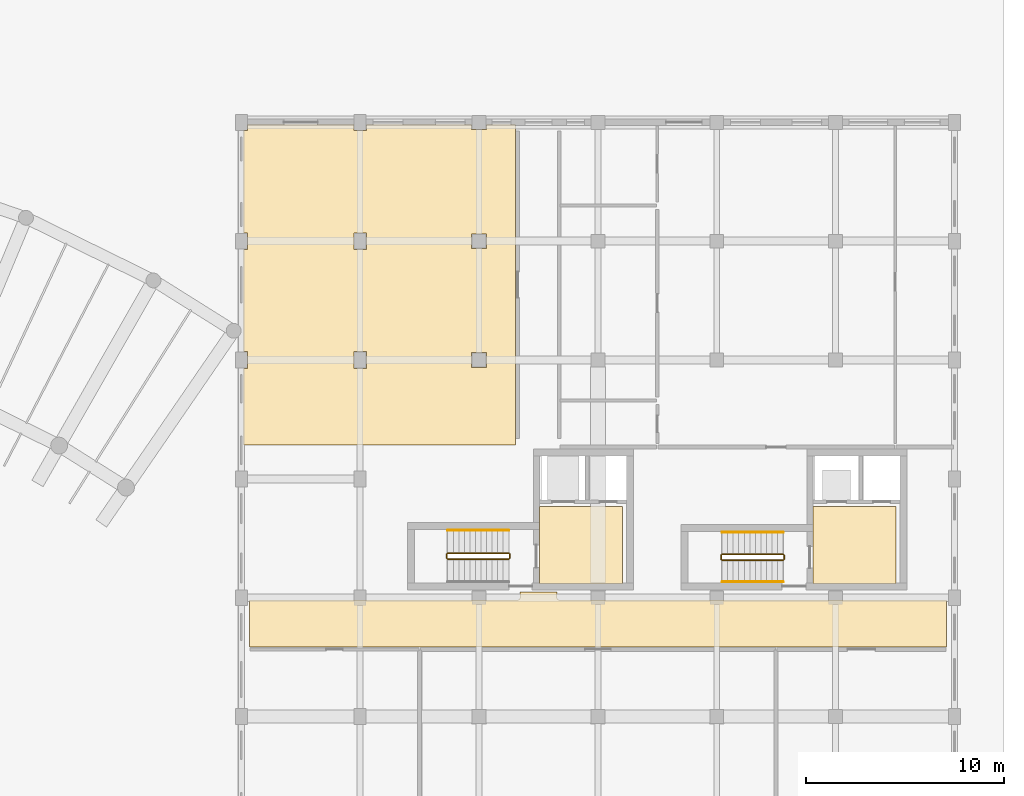
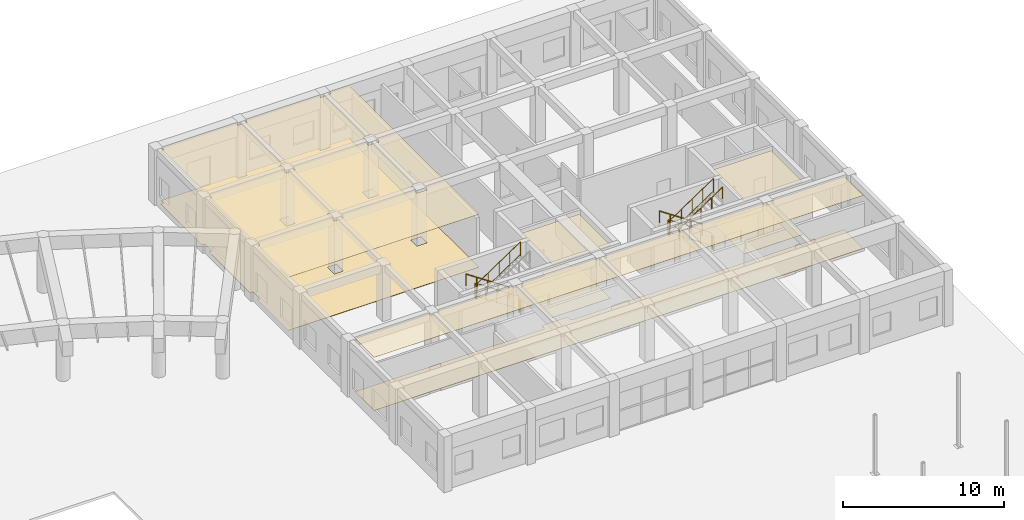
# One storey, part 75 of 76: 11 railings, 8 coverings.
"""IFC4 building model written with IfcOpenShell, lengths in metres."""

from ifc_helpers import new_model, si_unit, direction, frame, origin, origin_2d, place, context, subcontext, project, spatial, polyline, circle, outline, extrude, material, layer, layer_set, type_object, element, save


model = new_model("IFC4")

# Units and contexts
model_context = context("Model", 3, precision=1e-05, world=origin(), true_north=direction((0.0, 1.0)))
body_context = subcontext(model_context, "Body", "Model", "MODEL_VIEW")
ifc_project = project(units=[si_unit("LENGTHUNIT", "METRE"), si_unit("AREAUNIT", "SQUARE_METRE"), si_unit("VOLUMEUNIT", "CUBIC_METRE"), si_unit("PLANEANGLEUNIT", "RADIAN"), si_unit("MASSUNIT", "GRAM", prefix="KILO"), si_unit("POWERUNIT", "WATT"), si_unit("THERMODYNAMICTEMPERATUREUNIT", "KELVIN")], contexts=[model_context])

# Site, building, storey
site_placement = place(None, origin())
site = spatial("IfcSite", under=ifc_project, at=site_placement, CompositionType="ELEMENT")
building_placement = place(site_placement, origin())
building = spatial("IfcBuilding", under=site, at=building_placement, Name="Ruvembo Vaulted Housing Court", CompositionType="ELEMENT")
storey_placement = place(building_placement, origin())
storey = spatial("IfcBuildingStorey", under=building, at=storey_placement, Name="L00", CompositionType="ELEMENT", Elevation=0.0)

# Coverings
ifc_material_1 = material(Name="Perforated Mineral-Fibre Acoustic Tile", Category="gypsum")
ifc_layer_1 = layer(ifc_material_1, 0.02001953125, Name="Perforated Mineral-Fibre Acoustic Tile")
ifc_layer_set_1 = layer_set([ifc_layer_1], Name="Perforated Mineral-Fibre Acoustic Tile")
covering_type_1 = type_object("IfcCoveringType", Name="COV-CEIL-ACOUST", PredefinedType="CEILING", material=ifc_layer_set_1)
covering_1_placement = place(storey_placement, frame((0.0, 0.0, 4.034912109375)))
element("IfcCovering", 1, at=covering_1_placement, inside=storey, type_object=covering_type_1, Name="Protected Core Lobby D1 Ceiling", PredefinedType="CEILING", context=body_context, shape_type="SweptSolid", body=[
    extrude(outline(polyline([(165.050048828125, 88.60009765625), (165.050048828125, 84.699951171875), (169.25, 84.699951171875), (169.25, 88.60009765625), (165.050048828125, 88.60009765625)])), origin(), (0.0, 0.0, 1.0), 0.02001953125),
])
covering_2_placement = place(storey_placement, frame((0.0, 0.0, 4.034912109375)))
element("IfcCovering", 2, at=covering_2_placement, inside=storey, type_object=covering_type_1, Name="Protected Core Lobby D2 Ceiling", PredefinedType="CEILING", context=body_context, shape_type="SweptSolid", body=[
    extrude(outline(polyline([(178.85009765625, 88.60009765625), (178.85009765625, 84.699951171875), (183.050048828125, 84.699951171875), (183.050048828125, 88.60009765625), (178.85009765625, 88.60009765625)])), origin(), (0.0, 0.0, 1.0), 0.02001953125),
])
covering_3_placement = place(storey_placement, frame((0.0, 0.0, 4.034912109375)))
element("IfcCovering", 3, at=covering_3_placement, inside=storey, type_object=covering_type_1, Name="Block D L00 Corridor Ceiling", PredefinedType="CEILING", context=body_context, shape_type="SweptSolid", body=[
    extrude(outline(polyline([(163.949951171875, 83.889892578125), (150.409912109375, 83.889892578125), (150.409912109375, 81.510009765625), (185.590087890625, 81.510009765625), (185.590087890625, 83.889892578125), (166.050048828125, 83.889892578125), (166.039306640625, 83.890380859375), (166.028564453125, 83.89208984375), (166.01806640625, 83.894775390625), (166.0078125, 83.8984375), (165.998046875, 83.903076171875), (165.989013671875, 83.908447265625), (165.980224609375, 83.9150390625), (165.97216796875, 83.922119140625), (165.965087890625, 83.93017578125), (165.95849609375, 83.93896484375), (165.952880859375, 83.947998046875), (165.948486328125, 83.9580078125), (165.944580078125, 83.968017578125), (165.942138671875, 83.978515625), (165.9404296875, 83.9892578125), (165.93994140625, 84.0), (165.93994140625, 84.2900390625), (164.06005859375, 84.2900390625), (164.06005859375, 84.0), (164.0595703125, 83.9892578125), (164.057861328125, 83.978515625), (164.055419921875, 83.968017578125), (164.051513671875, 83.9580078125), (164.047119140625, 83.947998046875), (164.04150390625, 83.93896484375), (164.034912109375, 83.93017578125), (164.02783203125, 83.922119140625), (164.019775390625, 83.9150390625), (164.010986328125, 83.908447265625), (164.001953125, 83.903076171875), (163.9921875, 83.8984375), (163.98193359375, 83.894775390625), (163.971435546875, 83.89208984375), (163.960693359375, 83.890380859375), (163.949951171875, 83.889892578125)])), origin(), (0.0, 0.0, 1.0), 0.02001953125),
])
covering_4_placement = place(storey_placement, frame((0.0, 0.0, 4.034912109375)))
element("IfcCovering", 4, at=covering_4_placement, inside=storey, type_object=covering_type_1, Name="Block D North-West Vestibule Ceiling", PredefinedType="CEILING", context=body_context, shape_type="SweptSolid", body=[
    extrude(outline(polyline([(150.320068359375, 96.419921875), (150.320068359375, 95.580078125), (150.110107421875, 95.580078125), (150.110107421875, 91.7099609375), (163.840087890625, 91.7099609375), (163.840087890625, 107.889892578125), (162.3701171875, 107.889892578125), (162.3701171875, 107.6298828125), (161.6298828125, 107.6298828125), (161.6298828125, 107.889892578125), (156.320068359375, 107.889892578125), (156.320068359375, 107.580078125), (155.679931640625, 107.580078125), (155.679931640625, 107.889892578125), (150.320068359375, 107.889892578125), (150.320068359375, 107.580078125), (150.110107421875, 107.580078125), (150.110107421875, 102.419921875), (150.320068359375, 102.419921875), (150.320068359375, 101.580078125), (150.110107421875, 101.580078125), (150.110107421875, 96.419921875), (150.320068359375, 96.419921875)]), holes=[polyline([(155.679931640625, 95.580078125), (156.320068359375, 95.580078125), (156.320068359375, 96.419921875), (155.679931640625, 96.419921875), (155.679931640625, 95.580078125)]), polyline([(161.6298828125, 95.6298828125), (162.3701171875, 95.6298828125), (162.3701171875, 96.3701171875), (161.6298828125, 96.3701171875), (161.6298828125, 95.6298828125)]), polyline([(155.679931640625, 101.580078125), (156.320068359375, 101.580078125), (156.320068359375, 102.419921875), (155.679931640625, 102.419921875), (155.679931640625, 101.580078125)]), polyline([(162.3701171875, 101.6298828125), (162.3701171875, 102.3701171875), (161.6298828125, 102.3701171875), (161.6298828125, 101.6298828125), (162.3701171875, 101.6298828125)])]), origin(), (0.0, 0.0, 1.0), 0.02001953125),
])
ifc_material_2 = material(Name="Polished Cement-Aggregate Terrazzo", Category="stone")
ifc_layer_2 = layer(ifc_material_2, 0.02197265625, Name="Polished Cement-Aggregate Terrazzo")
ifc_layer_set_2 = layer_set([ifc_layer_2], Name="Polished Cement-Aggregate Terrazzo")
covering_type_2 = type_object("IfcCoveringType", Name="COV-FLR-CERAMIC", PredefinedType="FLOORING", material=ifc_layer_set_2)
covering_5_placement = place(storey_placement, origin())
element("IfcCovering", 5, at=covering_5_placement, inside=storey, type_object=covering_type_2, Name="Protected Core Lobby D1 Flooring", PredefinedType="FLOORING", context=body_context, shape_type="SweptSolid", body=[
    extrude(outline(polyline([(165.050048828125, 88.60009765625), (165.050048828125, 84.699951171875), (169.25, 84.699951171875), (169.25, 88.60009765625), (165.050048828125, 88.60009765625)])), origin(), (0.0, 0.0, 1.0), 0.02197265625),
])
covering_6_placement = place(storey_placement, origin())
element("IfcCovering", 6, at=covering_6_placement, inside=storey, type_object=covering_type_2, Name="Protected Core Lobby D2 Flooring", PredefinedType="FLOORING", context=body_context, shape_type="SweptSolid", body=[
    extrude(outline(polyline([(178.85009765625, 88.60009765625), (178.85009765625, 84.699951171875), (183.050048828125, 84.699951171875), (183.050048828125, 88.60009765625), (178.85009765625, 88.60009765625)])), origin(), (0.0, 0.0, 1.0), 0.02197265625),
])
covering_7_placement = place(storey_placement, origin())
element("IfcCovering", 7, at=covering_7_placement, inside=storey, type_object=covering_type_2, Name="Block D L00 Corridor Flooring", PredefinedType="FLOORING", context=body_context, shape_type="SweptSolid", body=[
    extrude(outline(polyline([(163.949951171875, 83.889892578125), (150.409912109375, 83.889892578125), (150.409912109375, 81.510009765625), (185.590087890625, 81.510009765625), (185.590087890625, 83.889892578125), (166.050048828125, 83.889892578125), (166.039306640625, 83.890380859375), (166.028564453125, 83.89208984375), (166.01806640625, 83.894775390625), (166.0078125, 83.8984375), (165.998046875, 83.903076171875), (165.989013671875, 83.908447265625), (165.980224609375, 83.9150390625), (165.97216796875, 83.922119140625), (165.965087890625, 83.93017578125), (165.95849609375, 83.93896484375), (165.952880859375, 83.947998046875), (165.948486328125, 83.9580078125), (165.944580078125, 83.968017578125), (165.942138671875, 83.978515625), (165.9404296875, 83.9892578125), (165.93994140625, 84.0), (165.93994140625, 84.2900390625), (164.06005859375, 84.2900390625), (164.06005859375, 84.0), (164.0595703125, 83.9892578125), (164.057861328125, 83.978515625), (164.055419921875, 83.968017578125), (164.051513671875, 83.9580078125), (164.047119140625, 83.947998046875), (164.04150390625, 83.93896484375), (164.034912109375, 83.93017578125), (164.02783203125, 83.922119140625), (164.019775390625, 83.9150390625), (164.010986328125, 83.908447265625), (164.001953125, 83.903076171875), (163.9921875, 83.8984375), (163.98193359375, 83.894775390625), (163.971435546875, 83.89208984375), (163.960693359375, 83.890380859375), (163.949951171875, 83.889892578125)])), origin(), (0.0, 0.0, 1.0), 0.02197265625),
])
covering_8_placement = place(storey_placement, origin())
element("IfcCovering", 8, at=covering_8_placement, inside=storey, type_object=covering_type_2, Name="Block D North-West Vestibule Flooring", PredefinedType="FLOORING", context=body_context, shape_type="SweptSolid", body=[
    extrude(outline(polyline([(150.320068359375, 96.419921875), (150.320068359375, 95.580078125), (150.110107421875, 95.580078125), (150.110107421875, 91.7099609375), (163.840087890625, 91.7099609375), (163.840087890625, 107.889892578125), (162.3701171875, 107.889892578125), (162.3701171875, 107.6298828125), (161.6298828125, 107.6298828125), (161.6298828125, 107.889892578125), (156.320068359375, 107.889892578125), (156.320068359375, 107.580078125), (155.679931640625, 107.580078125), (155.679931640625, 107.889892578125), (150.320068359375, 107.889892578125), (150.320068359375, 107.580078125), (150.110107421875, 107.580078125), (150.110107421875, 102.419921875), (150.320068359375, 102.419921875), (150.320068359375, 101.580078125), (150.110107421875, 101.580078125), (150.110107421875, 96.419921875), (150.320068359375, 96.419921875)]), holes=[polyline([(155.679931640625, 95.580078125), (156.320068359375, 95.580078125), (156.320068359375, 96.419921875), (155.679931640625, 96.419921875), (155.679931640625, 95.580078125)]), polyline([(161.6298828125, 95.6298828125), (162.3701171875, 95.6298828125), (162.3701171875, 96.3701171875), (161.6298828125, 96.3701171875), (161.6298828125, 95.6298828125)]), polyline([(155.679931640625, 101.580078125), (156.320068359375, 101.580078125), (156.320068359375, 102.419921875), (155.679931640625, 102.419921875), (155.679931640625, 101.580078125)]), polyline([(162.3701171875, 101.6298828125), (162.3701171875, 102.3701171875), (161.6298828125, 102.3701171875), (161.6298828125, 101.6298828125), (162.3701171875, 101.6298828125)])]), origin(), (0.0, 0.0, 1.0), 0.02197265625),
])

# Railings
ifc_material_3 = material(Name="Painted Galvanised Steel S275", Category="steel")
ifc_layer_3 = layer(ifc_material_3, 0.06005859375, Name="Painted Galvanised Steel S275")
ifc_layer_set_3 = layer_set([ifc_layer_3], Name="Painted Galvanised Steel S275")
railing_type_1 = type_object("IfcRailingType", Name="RL-STAIR-GR1100", PredefinedType="GUARDRAIL", material=ifc_layer_set_3)
railing_1_placement = place(storey_placement, frame((163.5, 86.25, 0.1875)))
element("IfcRailing", 9, at=railing_1_placement, inside=storey, type_object=railing_type_1, Name="L00 ST-D1 stair guard 1", PredefinedType="GUARDRAIL", context=body_context, shape_type="SweptSolid", body=[
    extrude(circle(Radius=0.02392578125, at=origin_2d()), frame((0.0, 0.0, 1.076171875), z_axis=(-0.830913701846, 0.0, 0.55640131208), x_axis=(0.0, -1.0, 0.0)), (0.0, 0.0, 1.0), 3.706787109375),
    extrude(circle(Radius=0.01806640625, at=origin_2d()), frame((0.0, 0.0, 0.1201171875), z_axis=(-0.830913701846, 0.0, 0.55640131208), x_axis=(0.0, -1.0, 0.0)), (0.0, 0.0, 1.0), 3.706787109375),
    extrude(circle(Radius=0.02099609375, at=origin_2d()), origin(), (0.0, 0.0, 1.0), 1.052001953125),
    extrude(circle(Radius=0.02099609375, at=origin_2d()), frame((-0.77001953125, 0.0, 0.515625)), (0.0, 0.0, 1.0), 1.052001953125),
    extrude(circle(Radius=0.02099609375, at=origin_2d()), frame((-1.5400390625, 0.0, 1.03125)), (0.0, 0.0, 1.0), 1.052001953125),
    extrude(circle(Radius=0.02099609375, at=origin_2d()), frame((-2.31005859375, 0.0, 1.546875)), (0.0, 0.0, 1.0), 1.052001953125),
    extrude(circle(Radius=0.02099609375, at=origin_2d()), frame((-3.080078125, 0.0, 2.0625)), (0.0, 0.0, 1.0), 1.052001953125),
])
railing_2_placement = place(storey_placement, frame((160.3701171875, 86.199951171875, 2.25)))
element("IfcRailing", 10, at=railing_2_placement, inside=storey, type_object=railing_type_1, Name="L00 ST-D1 stair guard 2", PredefinedType="GUARDRAIL", context=body_context, shape_type="SweptSolid", body=[
    extrude(circle(Radius=0.02392578125, at=origin_2d()), frame((0.0, 0.0, 1.076171875), z_axis=(0.0, -1.0, 0.0), x_axis=(1.0, 0.0, 0.0)), (0.0, 0.0, 1.0), 0.199951171875),
    extrude(circle(Radius=0.01806640625, at=origin_2d()), frame((0.0, 0.0, 0.1201171875), z_axis=(0.0, -1.0, 0.0), x_axis=(1.0, 0.0, 0.0)), (0.0, 0.0, 1.0), 0.199951171875),
    extrude(circle(Radius=0.02099609375, at=origin_2d()), origin(), (0.0, 0.0, 1.0), 1.052001953125),
    extrude(circle(Radius=0.02099609375, at=origin_2d()), frame((0.0, -0.199951171875, 0.0)), (0.0, 0.0, 1.0), 1.052001953125),
])
railing_3_placement = place(storey_placement, frame((160.419921875, 85.949951171875, 2.4375)))
element("IfcRailing", 11, at=railing_3_placement, inside=storey, type_object=railing_type_1, Name="L00 ST-D1 stair guard 3", PredefinedType="GUARDRAIL", context=body_context, shape_type="SweptSolid", body=[
    extrude(circle(Radius=0.02392578125, at=origin_2d()), frame((0.0, 0.0, 1.076171875), z_axis=(0.830913701846, 0.0, 0.55640131208), x_axis=(0.0, 1.0, 0.0)), (0.0, 0.0, 1.0), 3.706787109375),
    extrude(circle(Radius=0.01806640625, at=origin_2d()), frame((0.0, 0.0, 0.1201171875), z_axis=(0.830913701846, 0.0, 0.55640131208), x_axis=(0.0, 1.0, 0.0)), (0.0, 0.0, 1.0), 3.706787109375),
    extrude(circle(Radius=0.02099609375, at=origin_2d()), origin(), (0.0, 0.0, 1.0), 1.052001953125),
    extrude(circle(Radius=0.02099609375, at=origin_2d()), frame((0.77001953125, 0.0, 0.515625)), (0.0, 0.0, 1.0), 1.052001953125),
    extrude(circle(Radius=0.02099609375, at=origin_2d()), frame((1.5400390625, 0.0, 1.03125)), (0.0, 0.0, 1.0), 1.052001953125),
    extrude(circle(Radius=0.02099609375, at=origin_2d()), frame((2.31005859375, 0.0, 1.546875)), (0.0, 0.0, 1.0), 1.052001953125),
    extrude(circle(Radius=0.02099609375, at=origin_2d()), frame((3.080078125, 0.0, 2.0625)), (0.0, 0.0, 1.0), 1.052001953125),
])
railing_4_placement = place(storey_placement, frame((163.550048828125, 86.199951171875, 0.0)))
element("IfcRailing", 12, at=railing_4_placement, inside=storey, type_object=railing_type_1, Name="L00 ST-D1 stair guard 4", PredefinedType="GUARDRAIL", context=body_context, shape_type="SweptSolid", body=[
    extrude(circle(Radius=0.02392578125, at=origin_2d()), frame((0.0, 0.0, 1.076171875), z_axis=(0.0, -1.0, 0.0), x_axis=(1.0, 0.0, 0.0)), (0.0, 0.0, 1.0), 0.199951171875),
    extrude(circle(Radius=0.01806640625, at=origin_2d()), frame((0.0, 0.0, 0.1201171875), z_axis=(0.0, -1.0, 0.0), x_axis=(1.0, 0.0, 0.0)), (0.0, 0.0, 1.0), 0.199951171875),
    extrude(circle(Radius=0.02099609375, at=origin_2d()), origin(), (0.0, 0.0, 1.0), 1.052001953125),
    extrude(circle(Radius=0.02099609375, at=origin_2d()), frame((0.0, -0.199951171875, 0.0)), (0.0, 0.0, 1.0), 1.052001953125),
])
railing_5_placement = place(storey_placement, frame((177.35009765625, 86.199951171875, 0.1875)))
element("IfcRailing", 13, at=railing_5_placement, inside=storey, type_object=railing_type_1, Name="L00 ST-D2 stair guard 1", PredefinedType="GUARDRAIL", context=body_context, shape_type="SweptSolid", body=[
    extrude(circle(Radius=0.02392578125, at=origin_2d()), frame((0.0, 0.0, 1.076171875), z_axis=(-0.830913701846, 0.0, 0.55640131208), x_axis=(0.0, -1.0, 0.0)), (0.0, 0.0, 1.0), 3.706787109375),
    extrude(circle(Radius=0.01806640625, at=origin_2d()), frame((0.0, 0.0, 0.1201171875), z_axis=(-0.830913701846, 0.0, 0.55640131208), x_axis=(0.0, -1.0, 0.0)), (0.0, 0.0, 1.0), 3.706787109375),
    extrude(circle(Radius=0.02099609375, at=origin_2d()), origin(), (0.0, 0.0, 1.0), 1.052001953125),
    extrude(circle(Radius=0.02099609375, at=origin_2d()), frame((-0.77001953125, 0.0, 0.515625)), (0.0, 0.0, 1.0), 1.052001953125),
    extrude(circle(Radius=0.02099609375, at=origin_2d()), frame((-1.5400390625, 0.0, 1.03125)), (0.0, 0.0, 1.0), 1.052001953125),
    extrude(circle(Radius=0.02099609375, at=origin_2d()), frame((-2.31005859375, 0.0, 1.546875)), (0.0, 0.0, 1.0), 1.052001953125),
    extrude(circle(Radius=0.02099609375, at=origin_2d()), frame((-3.080078125, 0.0, 2.0625)), (0.0, 0.0, 1.0), 1.052001953125),
])
railing_6_placement = place(storey_placement, frame((174.219970703125, 86.14990234375, 2.25)))
element("IfcRailing", 14, at=railing_6_placement, inside=storey, type_object=railing_type_1, Name="L00 ST-D2 stair guard 2", PredefinedType="GUARDRAIL", context=body_context, shape_type="SweptSolid", body=[
    extrude(circle(Radius=0.02392578125, at=origin_2d()), frame((0.0, 0.0, 1.076171875), z_axis=(0.0, -1.0, 0.0), x_axis=(1.0, 0.0, 0.0)), (0.0, 0.0, 1.0), 0.199951171875),
    extrude(circle(Radius=0.01806640625, at=origin_2d()), frame((0.0, 0.0, 0.1201171875), z_axis=(0.0, -1.0, 0.0), x_axis=(1.0, 0.0, 0.0)), (0.0, 0.0, 1.0), 0.199951171875),
    extrude(circle(Radius=0.02099609375, at=origin_2d()), origin(), (0.0, 0.0, 1.0), 1.052001953125),
    extrude(circle(Radius=0.02099609375, at=origin_2d()), frame((0.0, -0.199951171875, 0.0)), (0.0, 0.0, 1.0), 1.052001953125),
])
railing_7_placement = place(storey_placement, frame((174.27001953125, 85.89990234375, 2.4375)))
element("IfcRailing", 15, at=railing_7_placement, inside=storey, type_object=railing_type_1, Name="L00 ST-D2 stair guard 3", PredefinedType="GUARDRAIL", context=body_context, shape_type="SweptSolid", body=[
    extrude(circle(Radius=0.02392578125, at=origin_2d()), frame((0.0, 0.0, 1.076171875), z_axis=(0.830913701846, 0.0, 0.55640131208), x_axis=(0.0, 1.0, 0.0)), (0.0, 0.0, 1.0), 3.706787109375),
    extrude(circle(Radius=0.01806640625, at=origin_2d()), frame((0.0, 0.0, 0.1201171875), z_axis=(0.830913701846, 0.0, 0.55640131208), x_axis=(0.0, 1.0, 0.0)), (0.0, 0.0, 1.0), 3.706787109375),
    extrude(circle(Radius=0.02099609375, at=origin_2d()), origin(), (0.0, 0.0, 1.0), 1.052001953125),
    extrude(circle(Radius=0.02099609375, at=origin_2d()), frame((0.77001953125, 0.0, 0.515625)), (0.0, 0.0, 1.0), 1.052001953125),
    extrude(circle(Radius=0.02099609375, at=origin_2d()), frame((1.5400390625, 0.0, 1.03125)), (0.0, 0.0, 1.0), 1.052001953125),
    extrude(circle(Radius=0.02099609375, at=origin_2d()), frame((2.31005859375, 0.0, 1.546875)), (0.0, 0.0, 1.0), 1.052001953125),
    extrude(circle(Radius=0.02099609375, at=origin_2d()), frame((3.080078125, 0.0, 2.0625)), (0.0, 0.0, 1.0), 1.052001953125),
])
railing_8_placement = place(storey_placement, frame((177.39990234375, 86.14990234375, 0.0)))
element("IfcRailing", 16, at=railing_8_placement, inside=storey, type_object=railing_type_1, Name="L00 ST-D2 stair guard 4", PredefinedType="GUARDRAIL", context=body_context, shape_type="SweptSolid", body=[
    extrude(circle(Radius=0.02392578125, at=origin_2d()), frame((0.0, 0.0, 1.076171875), z_axis=(0.0, -1.0, 0.0), x_axis=(1.0, 0.0, 0.0)), (0.0, 0.0, 1.0), 0.199951171875),
    extrude(circle(Radius=0.01806640625, at=origin_2d()), frame((0.0, 0.0, 0.1201171875), z_axis=(0.0, -1.0, 0.0), x_axis=(1.0, 0.0, 0.0)), (0.0, 0.0, 1.0), 0.199951171875),
    extrude(circle(Radius=0.02099609375, at=origin_2d()), origin(), (0.0, 0.0, 1.0), 1.052001953125),
    extrude(circle(Radius=0.02099609375, at=origin_2d()), frame((0.0, -0.199951171875, 0.0)), (0.0, 0.0, 1.0), 1.052001953125),
])
ifc_material_4 = material(Name="Brushed Stainless Steel 304", Category="steel")
ifc_layer_4 = layer(ifc_material_4, 0.050048828125, Name="Brushed Stainless Steel 304")
ifc_layer_set_4 = layer_set([ifc_layer_4], Name="Brushed Stainless Steel 304")
railing_type_2 = type_object("IfcRailingType", Name="RL-STAIR-HR920", PredefinedType="HANDRAIL", material=ifc_layer_set_4)
for number, where, name in (
    (17, (163.5, 87.39990234375, 0.379150390625), "L00 ST-D1 stair handrail 1"),
    (18, (177.35009765625, 87.300048828125, 0.379150390625), "L00 ST-D2 stair handrail 1"),
):
    element("IfcRailing", number, at=place(storey_placement, frame(where)), inside=storey, type_object=railing_type_2, Name=name, PredefinedType="HANDRAIL", context=body_context, shape_type="SweptSolid", body=[
        extrude(circle(Radius=0.02392578125, at=origin_2d()), frame((0.0, 0.0, 0.8759765625), z_axis=(-0.830913701846, 0.0, 0.55640131208), x_axis=(0.0, -1.0, 0.0)), (0.0, 0.0, 1.0), 3.706787109375),
        extrude(circle(Radius=0.02099609375, at=origin_2d()), origin(), (0.0, 0.0, 1.0), 0.851806640625),
        extrude(circle(Radius=0.02099609375, at=origin_2d()), frame((-0.77001953125, 0.0, 0.515625)), (0.0, 0.0, 1.0), 0.851806640625),
        extrude(circle(Radius=0.02099609375, at=origin_2d()), frame((-1.5400390625, 0.0, 1.03125)), (0.0, 0.0, 1.0), 0.851806640625),
        extrude(circle(Radius=0.02099609375, at=origin_2d()), frame((-2.31005859375, 0.0, 1.546875)), (0.0, 0.0, 1.0), 0.851806640625),
        extrude(circle(Radius=0.02099609375, at=origin_2d()), frame((-3.080078125, 0.0, 2.0625)), (0.0, 0.0, 1.0), 0.851806640625),
    ])
railing_9_placement = place(storey_placement, frame((174.27001953125, 84.800048828125, 2.629150390625)))
element("IfcRailing", 19, at=railing_9_placement, inside=storey, type_object=railing_type_2, Name="L00 ST-D2 stair handrail 2", PredefinedType="HANDRAIL", context=body_context, shape_type="SweptSolid", body=[
    extrude(circle(Radius=0.02392578125, at=origin_2d()), frame((0.0, 0.0, 0.8759765625), z_axis=(0.830913701846, 0.0, 0.55640131208), x_axis=(0.0, 1.0, 0.0)), (0.0, 0.0, 1.0), 3.706787109375),
    extrude(circle(Radius=0.02099609375, at=origin_2d()), origin(), (0.0, 0.0, 1.0), 0.851806640625),
    extrude(circle(Radius=0.02099609375, at=origin_2d()), frame((0.77001953125, 0.0, 0.515625)), (0.0, 0.0, 1.0), 0.851806640625),
    extrude(circle(Radius=0.02099609375, at=origin_2d()), frame((1.5400390625, 0.0, 1.03125)), (0.0, 0.0, 1.0), 0.851806640625),
    extrude(circle(Radius=0.02099609375, at=origin_2d()), frame((2.31005859375, 0.0, 1.546875)), (0.0, 0.0, 1.0), 0.851806640625),
    extrude(circle(Radius=0.02099609375, at=origin_2d()), frame((3.080078125, 0.0, 2.0625)), (0.0, 0.0, 1.0), 0.851806640625),
])

save(model, "model.ifc")
